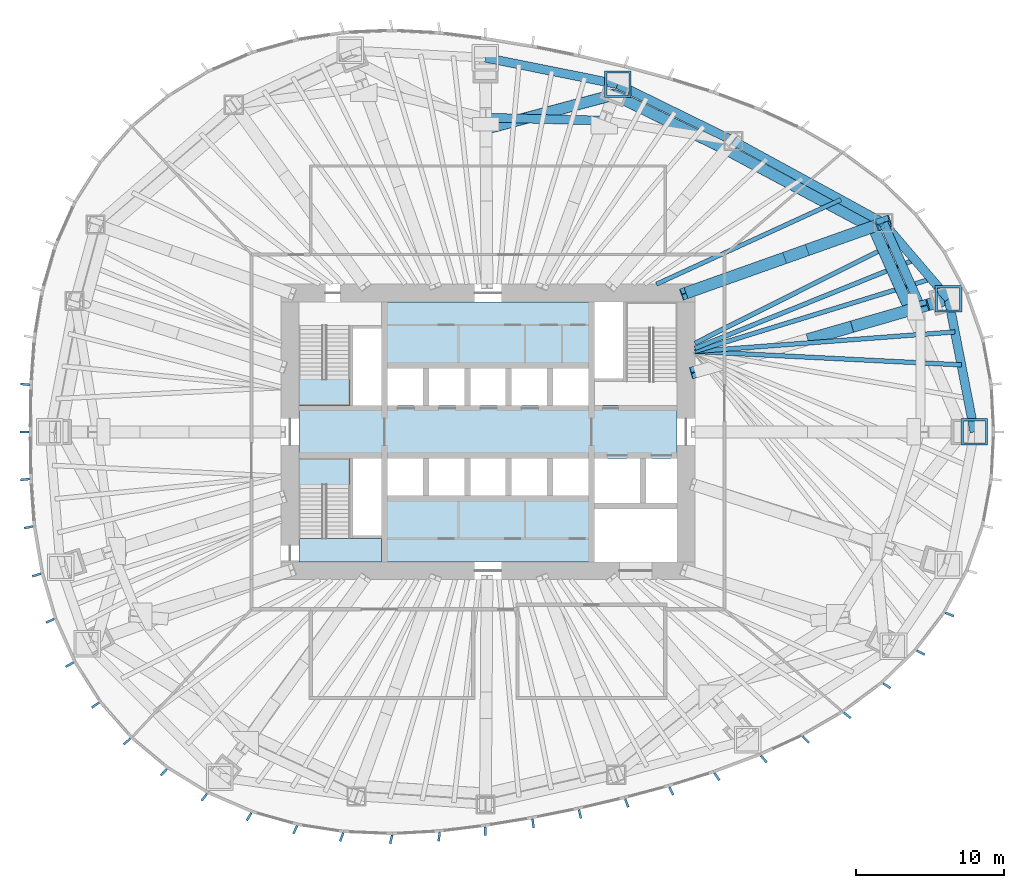
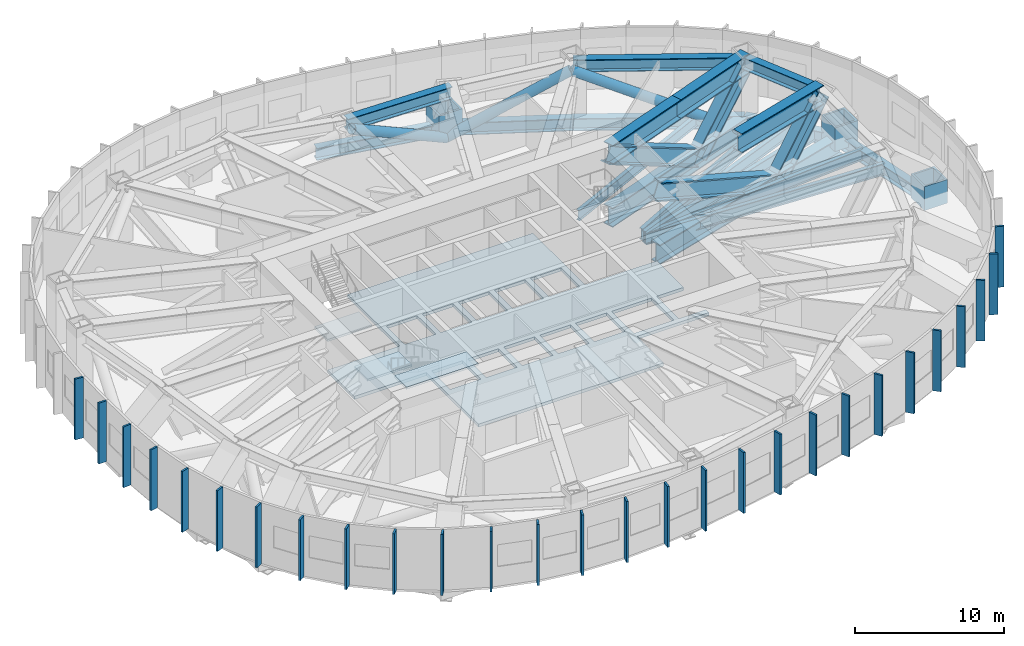
# One storey, part 5 of 12: 28 plates, 19 members, 11 beams, 4 slabs, 2 elements without a shape of their own.
"""IFC4 building model written with IfcOpenShell, lengths in metres."""

from ifc_helpers import new_model, si_unit, direction, frame, origin, origin_2d, place, context, subcontext, project, spatial, polyline, rectangle, hollow_rectangle, hollow_circle, i_section, outline, extrude, material, layer, layer_set, material_profile, profile_set, type_object, element, aggregate, save


model = new_model("IFC4")

# Units and contexts
model_context = context("Model", 3, precision=1e-05, world=origin(), true_north=direction((0.0, 1.0)))
body_context = subcontext(model_context, "Body", "Model", "MODEL_VIEW")
ifc_project = project(units=[si_unit("LENGTHUNIT", "METRE"), si_unit("AREAUNIT", "SQUARE_METRE"), si_unit("VOLUMEUNIT", "CUBIC_METRE"), si_unit("PLANEANGLEUNIT", "RADIAN"), si_unit("MASSUNIT", "GRAM", prefix="KILO")], contexts=[model_context])

# Site, building, storey
site_placement = place(None, origin())
site = spatial("IfcSite", under=ifc_project, at=site_placement, CompositionType="ELEMENT")
building_placement = place(site_placement, origin())
building = spatial("IfcBuilding", under=site, at=building_placement, Name="Ghaith Harvest Tower", CompositionType="ELEMENT")
storey_placement = place(building_placement, frame((0.0, 0.0, 100.0)))
storey = spatial("IfcBuildingStorey", under=building, at=storey_placement, Name="L20", CompositionType="ELEMENT", Elevation=100.0)

# Members
ifc_material_1 = material(Name="Steel S460", Category="steel")
ifc_material_profile_1 = material_profile(ifc_material_1, i_section(OverallWidth=0.60009765625, OverallDepth=1.0, WebThickness=0.02490234375, FlangeThickness=0.050048828125, at=origin_2d()), Name="PG1000X600X25X50")
ifc_profile_set_1 = profile_set([ifc_material_profile_1], Name="Steel S460")
member_type_1 = type_object("IfcMemberType", Name="BCPG1000-600-25-50 PG1000X600X25X50", PredefinedType="CHORD", material=ifc_profile_set_1)
member_1_placement = place(storey_placement, frame((29.285888671875, 8.464111328125, 4.030029296875), z_axis=(-0.405635615749, 0.914034872002, 0.0), x_axis=(-0.914034872002, -0.405635615749, 0.0)))
element("IfcMember", 1, at=member_1_placement, inside=storey, type_object=member_type_1, Name="Belt truss BT02 top chord", PredefinedType="CHORD", context=body_context, shape_type="SweptSolid", body=[
    extrude(i_section(OverallWidth=0.60009765625, OverallDepth=1.0, WebThickness=0.02490234375, FlangeThickness=0.050048828125, at=origin_2d()), origin(), (0.0, 0.0, 1.0), 6.21728515625),
])
member_2_placement = place(storey_placement, frame((26.763916015625, 14.14697265625, 4.030029296875), z_axis=(-0.877588218279, 0.479415184509, 0.0), x_axis=(-0.479415184509, -0.877588218279, 0.0)))
element("IfcMember", 2, at=member_2_placement, inside=storey, type_object=member_type_1, Name="Belt truss BT03 top chord", PredefinedType="CHORD", context=body_context, shape_type="SweptSolid", body=[
    extrude(i_section(OverallWidth=0.60009765625, OverallDepth=1.0, WebThickness=0.02490234375, FlangeThickness=0.050048828125, at=origin_2d()), origin(), (0.0, 0.0, 1.0), 11.57275390625),
])
member_3_placement = place(storey_placement, frame((7.8779296875, 21.072021484375, 4.030029296875), z_axis=(-0.999692679676, 0.024790042413, 0.0), x_axis=(-0.024790042413, -0.999692679676, 0.0)))
element("IfcMember", 3, at=member_3_placement, inside=storey, type_object=member_type_1, Name="Belt truss BT05 top chord", PredefinedType="CHORD", context=body_context, shape_type="SweptSolid", body=[
    extrude(i_section(OverallWidth=0.60009765625, OverallDepth=1.0, WebThickness=0.02490234375, FlangeThickness=0.050048828125, at=origin_2d()), origin(), (0.0, 0.0, 1.0), 8.0263671875),
])
ifc_material_2 = material(Name="Steel ASTM A992 Grade 50", Category="steel")
ifc_material_profile_2 = material_profile(ifc_material_2, hollow_circle(Radius=0.381103515625, WallThickness=0.01904296875, at=origin_2d()), Name="HSS762X19.1")
ifc_profile_set_2 = profile_set([ifc_material_profile_2], Name="Steel ASTM A992 Grade 50")
member_type_2 = type_object("IfcMemberType", Name="BD762 HSS762X19.1", PredefinedType="BRACE", material=ifc_profile_set_2)
member_4_placement = place(storey_placement, frame((28.5654296875, 8.255859375, 4.030029296875), z_axis=(-0.310289061612, 0.697543334742, -0.645874596498), x_axis=(-0.913680341823, -0.406433552953, 0.0)))
element("IfcMember", 4, at=member_4_placement, inside=storey, type_object=member_type_2, Name="Belt truss BT02 diagonal", PredefinedType="BRACE", context=body_context, shape_type="SweptSolid", body=[
    extrude(hollow_circle(Radius=0.381103515625, WallThickness=0.01904296875, at=origin_2d()), origin(), (0.0, 0.0, 1.0), 7.94287109375),
])
member_5_placement = place(storey_placement, frame((26.100830078125, 13.79638671875, -1.10009765625), z_axis=(-0.803385741515, 0.428834148103, 0.413125433435), x_axis=(-0.470897473237, -0.882187944658, 0.0)))
element("IfcMember", 5, at=member_5_placement, inside=storey, type_object=member_type_2, Name="Belt truss BT03 diagonal", PredefinedType="BRACE", context=body_context, shape_type="SweptSolid", body=[
    extrude(hollow_circle(Radius=0.381103515625, WallThickness=0.01904296875, at=origin_2d()), origin(), (0.0, 0.0, 1.0), 12.417724609375),
])
member_6_placement = place(storey_placement, frame((16.12451171875, 19.12158203125, 4.030029296875), z_axis=(-0.768211897407, 0.37468147564, -0.519099482272), x_axis=(-0.438370672656, -0.898794277549, 0.0)))
element("IfcMember", 6, at=member_6_placement, inside=storey, type_object=member_type_2, Name="Belt truss BT04 diagonal", PredefinedType="BRACE", context=body_context, shape_type="SweptSolid", body=[
    extrude(hollow_circle(Radius=0.381103515625, WallThickness=0.01904296875, at=origin_2d()), origin(), (0.0, 0.0, 1.0), 9.8828125),
])
member_7_placement = place(storey_placement, frame((8.532470703125, 22.824462890625, -1.10009765625), z_axis=(-0.839067880605, -0.222839763934, 0.496293795394), x_axis=(0.256682110754, -0.966495884119, 0.0)))
element("IfcMember", 7, at=member_7_placement, inside=storey, type_object=member_type_2, Name="Belt truss BT05 diagonal", PredefinedType="BRACE", context=body_context, shape_type="SweptSolid", body=[
    extrude(hollow_circle(Radius=0.381103515625, WallThickness=0.01904296875, at=origin_2d()), origin(), (0.0, 0.0, 1.0), 10.3369140625),
])

# Beams
ifc_material_3 = material(Name="Steel S460", Category="steel")
ifc_material_profile_3 = material_profile(ifc_material_3, i_section(OverallWidth=0.60009765625, OverallDepth=1.0, WebThickness=0.02490234375, FlangeThickness=0.050048828125, at=origin_2d()), Name="PG1000X600X25X50")
ifc_profile_set_3 = profile_set([ifc_material_profile_3], Name="Steel S460")
beam_type_1 = type_object("IfcBeamType", Name="EPG1000 PG1000X600X25X50", PredefinedType="SPANDREL", material=ifc_profile_set_3)
beam_1_placement = place(storey_placement, frame((32.925048828125, 0.0, -0.800048828125), z_axis=(-0.191653479461, 0.981462655332, 0.0), x_axis=(-0.981462655332, -0.191653479461, 0.0)))
element("IfcBeam", 8, at=beam_1_placement, inside=storey, type_object=beam_type_1, Name="Edge beam E01 L20", PredefinedType="SPANDREL", context=body_context, shape_type="SweptSolid", body=[
    extrude(i_section(OverallWidth=0.60009765625, OverallDepth=1.0, WebThickness=0.02490234375, FlangeThickness=0.050048828125, at=origin_2d()), origin(), (0.0, 0.0, 1.0), 9.17822265625),
])
beam_2_placement = place(storey_placement, frame((31.166015625, 9.008056640625, -0.800048828125), z_axis=(-0.65056255283, 0.759452674533, 0.0), x_axis=(-0.759452674533, -0.65056255283, 0.0)))
element("IfcBeam", 9, at=beam_2_placement, inside=storey, type_object=beam_type_1, Name="Edge beam E02 L20", PredefinedType="SPANDREL", context=body_context, shape_type="SweptSolid", body=[
    extrude(i_section(OverallWidth=0.60009765625, OverallDepth=1.0, WebThickness=0.02490234375, FlangeThickness=0.050048828125, at=origin_2d()), origin(), (0.0, 0.0, 1.0), 6.7666015625),
])
beam_3_placement = place(storey_placement, frame((26.763916015625, 14.14697265625, -0.800048828125), z_axis=(-0.877588218279, 0.479415184509, 0.0), x_axis=(-0.479415184509, -0.877588218279, 0.0)))
element("IfcBeam", 10, at=beam_3_placement, inside=storey, type_object=beam_type_1, Name="Edge beam E03 L20", PredefinedType="SPANDREL", context=body_context, shape_type="SweptSolid", body=[
    extrude(i_section(OverallWidth=0.60009765625, OverallDepth=1.0, WebThickness=0.02490234375, FlangeThickness=0.050048828125, at=origin_2d()), origin(), (0.0, 0.0, 1.0), 11.57275390625),
])
beam_4_placement = place(storey_placement, frame((16.60791015625, 19.695068359375, -0.800048828125), z_axis=(-0.897823733825, 0.440355019252, 0.0), x_axis=(-0.440355019252, -0.897823733825, 0.0)))
element("IfcBeam", 11, at=beam_4_placement, inside=storey, type_object=beam_type_1, Name="Edge beam E04 L20", PredefinedType="SPANDREL", context=body_context, shape_type="SweptSolid", body=[
    extrude(i_section(OverallWidth=0.60009765625, OverallDepth=1.0, WebThickness=0.02490234375, FlangeThickness=0.050048828125, at=origin_2d()), origin(), (0.0, 0.0, 1.0), 8.7021484375),
])
beam_5_placement = place(storey_placement, frame((8.794921875, 23.527099609375, -0.800048828125), z_axis=(-0.980450082464, 0.196767974517, 0.0), x_axis=(-0.196767974517, -0.980450082464, 0.0)))
element("IfcBeam", 12, at=beam_5_placement, inside=storey, type_object=beam_type_1, Name="Edge beam E05 L20", PredefinedType="SPANDREL", context=body_context, shape_type="SweptSolid", body=[
    extrude(i_section(OverallWidth=0.60009765625, OverallDepth=1.0, WebThickness=0.02490234375, FlangeThickness=0.050048828125, at=origin_2d()), origin(), (0.0, 0.0, 1.0), 9.146728515625),
])
ifc_material_4 = material(Name="Steel ASTM A992 Grade 50", Category="steel")
ifc_material_profile_4 = material_profile(ifc_material_4, i_section(OverallWidth=0.2939453125, OverallDepth=0.85107421875, WebThickness=0.01611328125, FlangeThickness=0.02685546875, at=origin_2d()), Name="W840X226")
ifc_profile_set_4 = profile_set([ifc_material_profile_4], Name="Steel ASTM A992 Grade 50")
beam_type_2 = type_object("IfcBeamType", Name="J840-226 W840X226", PredefinedType="JOIST", material=ifc_profile_set_4)
beam_6_placement = place(storey_placement, frame((11.39990234375, 10.0, -0.7255859375), z_axis=(0.909014022454, 0.416765529983, 0.0), x_axis=(-0.416765529983, 0.909014022454, 0.0)))
element("IfcBeam", 13, at=beam_6_placement, inside=storey, type_object=beam_type_2, Name="Joist J03.1 L20", PredefinedType="JOIST", context=body_context, shape_type="SweptSolid", body=[
    extrude(i_section(OverallWidth=0.2939453125, OverallDepth=0.85107421875, WebThickness=0.01611328125, FlangeThickness=0.02685546875, at=origin_2d()), origin(), (0.0, 0.0, 1.0), 13.72998046875),
])
ifc_material_5 = material(Name="Steel ASTM A992 Grade 50", Category="steel")
ifc_material_profile_5 = material_profile(ifc_material_5, i_section(OverallWidth=0.31005859375, OverallDepth=0.927001953125, WebThickness=0.019287109375, FlangeThickness=0.031982421875, at=origin_2d()), Name="W920X289")
ifc_profile_set_5 = profile_set([ifc_material_profile_5], Name="Steel ASTM A992 Grade 50")
beam_type_3 = type_object("IfcBeamType", Name="J920-289 W920X289", PredefinedType="JOIST", material=ifc_profile_set_5)
beam_7_placement = place(storey_placement, frame((14.0, 6.0, -0.763427734375), z_axis=(0.893943122545, 0.448180425335, 0.0), x_axis=(-0.448180425335, 0.893943122545, 0.0)))
element("IfcBeam", 14, at=beam_7_placement, inside=storey, type_object=beam_type_3, Name="Joist J02.3 L20", PredefinedType="JOIST", context=body_context, shape_type="SweptSolid", body=[
    extrude(i_section(OverallWidth=0.31005859375, OverallDepth=0.927001953125, WebThickness=0.019287109375, FlangeThickness=0.031982421875, at=origin_2d()), origin(), (0.0, 0.0, 1.0), 15.449951171875),
])
ifc_material_6 = material(Name="Steel ASTM A992 Grade 50", Category="steel")
ifc_material_profile_6 = material_profile(ifc_material_6, i_section(OverallWidth=0.306884765625, OverallDepth=0.94189453125, WebThickness=0.022216796875, FlangeThickness=0.039794921875, at=origin_2d()), Name="W920X345")
ifc_profile_set_6 = profile_set([ifc_material_profile_6], Name="Steel ASTM A992 Grade 50")
beam_type_4 = type_object("IfcBeamType", Name="J920-345 W920X345", PredefinedType="JOIST", material=ifc_profile_set_6)
beam_8_placement = place(storey_placement, frame((14.0, 5.4462890625, -0.77099609375), z_axis=(0.998732304101, -0.050336713681, 0.0), x_axis=(0.050336713681, 0.998732304101, 0.0)))
element("IfcBeam", 15, at=beam_8_placement, inside=storey, type_object=beam_type_4, Name="Joist J01.2 L20", PredefinedType="JOIST", context=body_context, shape_type="SweptSolid", body=[
    extrude(i_section(OverallWidth=0.306884765625, OverallDepth=0.94189453125, WebThickness=0.022216796875, FlangeThickness=0.039794921875, at=origin_2d()), origin(), (0.0, 0.0, 1.0), 18.06201171875),
])
beam_9_placement = place(storey_placement, frame((14.0, 5.4462890625, -0.77099609375), z_axis=(0.997186556837, 0.074959794986, 0.0), x_axis=(-0.074959794986, 0.997186556837, 0.0)))
element("IfcBeam", 16, at=beam_9_placement, inside=storey, type_object=beam_type_4, Name="Joist J01.3 L20", PredefinedType="JOIST", context=body_context, shape_type="SweptSolid", body=[
    extrude(i_section(OverallWidth=0.306884765625, OverallDepth=0.94189453125, WebThickness=0.022216796875, FlangeThickness=0.039794921875, at=origin_2d()), origin(), (0.0, 0.0, 1.0), 17.652587890625),
])
beam_10_placement = place(storey_placement, frame((14.0, 5.4462890625, -0.77099609375), z_axis=(0.955896845814, 0.293702604964, 0.0), x_axis=(-0.293702604964, 0.955896845814, 0.0)))
element("IfcBeam", 17, at=beam_10_placement, inside=storey, type_object=beam_type_4, Name="Joist J02.1 L20", PredefinedType="JOIST", context=body_context, shape_type="SweptSolid", body=[
    extrude(i_section(OverallWidth=0.306884765625, OverallDepth=0.94189453125, WebThickness=0.022216796875, FlangeThickness=0.039794921875, at=origin_2d()), origin(), (0.0, 0.0, 1.0), 16.7431640625),
])
beam_11_placement = place(storey_placement, frame((14.0, 5.653564453125, -0.77099609375), z_axis=(0.927252192145, 0.374437407536, 0.0), x_axis=(-0.374437407536, 0.927252192145, 0.0)))
element("IfcBeam", 18, at=beam_11_placement, inside=storey, type_object=beam_type_4, Name="Joist J02.2 L20", PredefinedType="JOIST", context=body_context, shape_type="SweptSolid", body=[
    extrude(i_section(OverallWidth=0.306884765625, OverallDepth=0.94189453125, WebThickness=0.022216796875, FlangeThickness=0.039794921875, at=origin_2d()), origin(), (0.0, 0.0, 1.0), 16.057373046875),
])

# Members
ifc_material_7 = material(Name="Steel S690QL", Category="steel")
ifc_material_profile_7 = material_profile(ifc_material_7, hollow_rectangle(XDim=1.800048828125, YDim=1.800048828125, WallThickness=0.14990234375, at=origin_2d()), Name="BOX1800X1800X150")
ifc_profile_set_7 = profile_set([ifc_material_profile_7], Name="Steel S690QL")
member_type_3 = type_object("IfcMemberType", Name="KN3 BOX1800X1800X150", PredefinedType="USERDEFINED", material=ifc_profile_set_7)
for number, where, z_axis, x_axis, name in (
    (19, (32.925048828125, 0.0, -0.97509765625), (0.0, 0.0, 1.0), (1.0, 0.0, 0.0), "Raked column kink node C01 base L20"),
    (20, (31.166015625, 9.008056640625, -0.97509765625), (0.0, 0.0, 1.0), (1.0, 0.0, 0.0), "Raked column kink node C02 base L20"),
    (21, (8.794921875, 23.527099609375, -0.97509765625), (0.0, 0.0, 1.0), (1.0, 0.0, 0.0), "Raked column kink node C05 base L20"),
):
    element("IfcMember", number, at=place(storey_placement, frame(where, z_axis=z_axis, x_axis=x_axis)), inside=storey, type_object=member_type_3, Name=name, ObjectType="KINK NODE", PredefinedType="USERDEFINED", context=body_context, shape_type="SweptSolid", body=[
        extrude(hollow_rectangle(XDim=1.800048828125, YDim=1.800048828125, WallThickness=0.14990234375, at=origin_2d()), origin(), (0.0, 0.0, 1.0), 1.9501953125),
    ])
ifc_material_8 = material(Name="Steel S460", Category="steel")
ifc_material_profile_8 = material_profile(ifc_material_8, i_section(OverallWidth=0.800048828125, OverallDepth=1.60009765625, WebThickness=0.0400390625, FlangeThickness=0.080078125, at=origin_2d()), Name="PG1600X800X40X80")
ifc_profile_set_8 = profile_set([ifc_material_profile_8], Name="Steel S460")
member_type_4 = type_object("IfcMemberType", Name="OC1600 PG1600X800X40X80", PredefinedType="CHORD", material=ifc_profile_set_8)
member_8_placement = place(storey_placement, frame((14.0, 4.04638671875, -1.10009765625), z_axis=(0.960675395102, 0.277673882903, 0.0), x_axis=(-0.277673882903, 0.960675395102, 0.0)))
element("IfcMember", 22, at=member_8_placement, inside=storey, type_object=member_type_4, Name="Outrigger truss OT02 bottom chord", PredefinedType="CHORD", context=body_context, shape_type="SweptSolid", body=[
    extrude(i_section(OverallWidth=0.800048828125, OverallDepth=1.60009765625, WebThickness=0.0400390625, FlangeThickness=0.080078125, at=origin_2d()), origin(), (0.0, 0.0, 1.0), 17.86865234375),
])
member_9_placement = place(storey_placement, frame((21.64306640625, 6.255126953125, 4.030029296875), z_axis=(0.96067871769, 0.277662387403, 0.0), x_axis=(-0.277662387403, 0.96067871769, 0.0)))
element("IfcMember", 23, at=member_9_placement, inside=storey, type_object=member_type_4, Name="Outrigger truss OT02 top chord 2", PredefinedType="CHORD", context=body_context, shape_type="SweptSolid", body=[
    extrude(i_section(OverallWidth=0.800048828125, OverallDepth=1.60009765625, WebThickness=0.0400390625, FlangeThickness=0.080078125, at=origin_2d()), origin(), (0.0, 0.0, 1.0), 7.95556640625),
])
member_10_placement = place(storey_placement, frame((13.39990234375, 9.39990234375, -1.10009765625), z_axis=(0.942316561445, 0.334723016875, 0.0), x_axis=(-0.334723016875, 0.942316561445, 0.0)))
element("IfcMember", 24, at=member_10_placement, inside=storey, type_object=member_type_4, Name="Outrigger truss OT03 bottom chord", PredefinedType="CHORD", context=body_context, shape_type="SweptSolid", body=[
    extrude(i_section(OverallWidth=0.800048828125, OverallDepth=1.60009765625, WebThickness=0.0400390625, FlangeThickness=0.080078125, at=origin_2d()), origin(), (0.0, 0.0, 1.0), 14.18212890625),
])
member_11_placement = place(storey_placement, frame((13.39990234375, 9.39990234375, 4.030029296875), z_axis=(0.942318490127, 0.334717587176, 0.0), x_axis=(-0.334717587176, 0.942318490127, 0.0)))
element("IfcMember", 25, at=member_11_placement, inside=storey, type_object=member_type_4, Name="Outrigger truss OT03 top chord 1", PredefinedType="CHORD", context=body_context, shape_type="SweptSolid", body=[
    extrude(i_section(OverallWidth=0.800048828125, OverallDepth=1.60009765625, WebThickness=0.0400390625, FlangeThickness=0.080078125, at=origin_2d()), origin(), (0.0, 0.0, 1.0), 7.091064453125),
])
member_12_placement = place(storey_placement, frame((20.08203125, 11.7734375, 4.030029296875), z_axis=(0.94231463267, 0.33472844674, 0.0), x_axis=(-0.33472844674, 0.94231463267, 0.0)))
element("IfcMember", 26, at=member_12_placement, inside=storey, type_object=member_type_4, Name="Outrigger truss OT03 top chord 2", PredefinedType="CHORD", context=body_context, shape_type="SweptSolid", body=[
    extrude(i_section(OverallWidth=0.800048828125, OverallDepth=1.60009765625, WebThickness=0.0400390625, FlangeThickness=0.080078125, at=origin_2d()), origin(), (0.0, 0.0, 1.0), 7.0908203125),
])
ifc_material_9 = material(Name="Steel S460", Category="steel")
ifc_material_profile_9 = material_profile(ifc_material_9, i_section(OverallWidth=0.800048828125, OverallDepth=1.39990234375, WebThickness=0.050048828125, FlangeThickness=0.10009765625, at=origin_2d()), Name="PG1400X800X50X100")
ifc_profile_set_9 = profile_set([ifc_material_profile_9], Name="Steel S460")
member_type_5 = type_object("IfcMemberType", Name="OD1400 PG1400X800X50X100", PredefinedType="BRACE", material=ifc_profile_set_9)
member_13_placement = place(storey_placement, frame((14.0, 4.04638671875, 4.030029296875), z_axis=(0.878771507735, 0.254000210428, -0.40403530823), x_axis=(-0.277673731432, 0.960675438883, 0.0)))
element("IfcMember", 27, at=member_13_placement, inside=storey, type_object=member_type_5, Name="Outrigger truss OT02 diagonal 1", PredefinedType="BRACE", context=body_context, shape_type="SweptSolid", body=[
    extrude(i_section(OverallWidth=0.800048828125, OverallDepth=1.39990234375, WebThickness=0.050048828125, FlangeThickness=0.10009765625, at=origin_2d()), origin(), (0.0, 0.0, 1.0), 12.697265625),
])
member_14_placement = place(storey_placement, frame((25.157958984375, 7.271484375, -1.10009765625), z_axis=(0.616862651206, 0.178221791527, 0.766627329654), x_axis=(-0.277564126111, 0.960707112442, 0.0)))
element("IfcMember", 28, at=member_14_placement, inside=storey, type_object=member_type_5, Name="Outrigger truss OT02 diagonal 2", PredefinedType="BRACE", context=body_context, shape_type="SweptSolid", body=[
    extrude(i_section(OverallWidth=0.800048828125, OverallDepth=1.39990234375, WebThickness=0.050048828125, FlangeThickness=0.10009765625, at=origin_2d()), origin(), (0.0, 0.0, 1.0), 6.69189453125),
])
member_15_placement = place(storey_placement, frame((13.39990234375, 9.39990234375, 4.030029296875), z_axis=(0.823400881805, 0.292486544648, -0.486274211781), x_axis=(-0.334726993776, 0.942315148789, 0.0)))
element("IfcMember", 29, at=member_15_placement, inside=storey, type_object=member_type_5, Name="Outrigger truss OT03 diagonal 1", PredefinedType="BRACE", context=body_context, shape_type="SweptSolid", body=[
    extrude(i_section(OverallWidth=0.800048828125, OverallDepth=1.39990234375, WebThickness=0.050048828125, FlangeThickness=0.10009765625, at=origin_2d()), origin(), (0.0, 0.0, 1.0), 10.5498046875),
])
member_16_placement = place(storey_placement, frame((22.086669921875, 12.485595703125, -1.10009765625), z_axis=(0.655234548467, 0.232741993022, 0.718678545095), x_axis=(-0.33471563077, 0.942319185053, 0.0)))
element("IfcMember", 30, at=member_16_placement, inside=storey, type_object=member_type_5, Name="Outrigger truss OT03 diagonal 2", PredefinedType="BRACE", context=body_context, shape_type="SweptSolid", body=[
    extrude(i_section(OverallWidth=0.800048828125, OverallDepth=1.39990234375, WebThickness=0.050048828125, FlangeThickness=0.10009765625, at=origin_2d()), origin(), (0.0, 0.0, 1.0), 7.13818359375),
])

# Slab
ifc_material_10 = material(Name="Concrete C40/50", Category="concrete")
ifc_layer_1 = layer(ifc_material_10, 0.25)
ifc_layer_set_1 = layer_set([ifc_layer_1], Name="FLOOR SLAB 250")
slab_type_1 = type_object("IfcSlabType", Name="FLOOR SLAB 250", PredefinedType="FLOOR", material=ifc_layer_set_1)
slab_1_placement = place(storey_placement, frame((0.0, 0.0, -0.25)))
element("IfcSlab", 31, at=slab_1_placement, inside=storey, type_object=slab_type_1, Name="Core slab L20", PredefinedType="FLOOR", context=body_context, shape_type="SweptSolid", body=[
    extrude(outline(polyline([(-12.800048828125, 1.800048828125), (-7.199951171875, 1.800048828125), (-7.199951171875, 8.800048828125), (7.199951171875, 8.800048828125), (7.199951171875, 1.800048828125), (12.800048828125, 1.800048828125), (12.800048828125, -1.800048828125), (10.699951171875, -1.800048828125), (10.699951171875, -4.800048828125), (12.800048828125, -4.800048828125), (12.800048828125, -5.199951171875), (7.199951171875, -5.199951171875), (7.199951171875, -8.800048828125), (-7.199951171875, -8.800048828125), (-7.199951171875, -1.800048828125), (-12.800048828125, -1.800048828125), (-12.800048828125, 1.800048828125)]), holes=[polyline([(-4.39990234375, -4.300048828125), (-4.39990234375, -1.800048828125), (-6.800048828125, -1.800048828125), (-6.800048828125, -4.300048828125), (-4.39990234375, -4.300048828125)]), polyline([(-1.60009765625, -4.300048828125), (-1.60009765625, -1.800048828125), (-4.0, -1.800048828125), (-4.0, -4.300048828125), (-1.60009765625, -4.300048828125)]), polyline([(1.199951171875, -4.300048828125), (1.199951171875, -1.800048828125), (-1.199951171875, -1.800048828125), (-1.199951171875, -4.300048828125), (1.199951171875, -4.300048828125)]), polyline([(-4.39990234375, 1.800048828125), (-4.39990234375, 4.300048828125), (-6.800048828125, 4.300048828125), (-6.800048828125, 1.800048828125), (-4.39990234375, 1.800048828125)]), polyline([(-1.60009765625, 1.800048828125), (-1.60009765625, 4.300048828125), (-4.0, 4.300048828125), (-4.0, 1.800048828125), (-1.60009765625, 1.800048828125)]), polyline([(1.199951171875, 1.800048828125), (1.199951171875, 4.300048828125), (-1.199951171875, 4.300048828125), (-1.199951171875, 1.800048828125), (1.199951171875, 1.800048828125)]), polyline([(10.300048828125, -4.800048828125), (10.300048828125, -1.800048828125), (7.199951171875, -1.800048828125), (7.199951171875, -4.800048828125), (10.300048828125, -4.800048828125)]), polyline([(4.0, -4.300048828125), (4.0, -1.800048828125), (1.60009765625, -1.800048828125), (1.60009765625, -4.300048828125), (4.0, -4.300048828125)]), polyline([(6.800048828125, -4.300048828125), (6.800048828125, -1.800048828125), (4.39990234375, -1.800048828125), (4.39990234375, -4.300048828125), (6.800048828125, -4.300048828125)]), polyline([(4.0, 1.800048828125), (4.0, 4.300048828125), (1.60009765625, 4.300048828125), (1.60009765625, 1.800048828125), (4.0, 1.800048828125)]), polyline([(6.800048828125, 1.800048828125), (6.800048828125, 4.300048828125), (4.39990234375, 4.300048828125), (4.39990234375, 1.800048828125), (6.800048828125, 1.800048828125)])]), origin(), (0.0, 0.0, 1.0), 0.25),
])

# Stair, slab
ifc_material_11 = material(Name="Concrete C40/50, precast", Category="concrete")
stair_type = type_object("IfcStairType", Name="CORE STAIR 28R", PredefinedType="HALF_TURN_STAIR", material=ifc_material_11)
stair_1_placement = place(storey_placement, origin())
stair_1 = element("IfcStair", 32, at=stair_1_placement, inside=storey, type_object=stair_type, Name="Stair ST1 L20", PredefinedType="HALF_TURN_STAIR")
ifc_material_12 = material(Name="Concrete C40/50, precast", Category="concrete")
ifc_layer_2 = layer(ifc_material_12, 0.179931640625)
ifc_layer_set_2 = layer_set([ifc_layer_2], Name="STAIR LANDING 180")
slab_type_2 = type_object("IfcSlabType", Name="STAIR LANDING 180", PredefinedType="LANDING", material=ifc_layer_set_2)
slab_2_placement = place(storey_placement, frame((0.0, 0.0, 2.320068359375)))
slab_2 = element("IfcSlab", 33, at=slab_2_placement, type_object=slab_type_2, Name="ST1 landing 1", PredefinedType="LANDING", context=body_context, shape_type="SweptSolid", body=[
    extrude(outline(polyline([(-12.800048828125, 3.580078125), (-12.800048828125, 1.800048828125), (-9.35009765625, 1.800048828125), (-9.35009765625, 3.580078125), (-12.800048828125, 3.580078125)])), origin(), (0.0, 0.0, 1.0), 0.179931640625),
])
aggregate(stair_1, [slab_2])

# Stair, slabs
stair_2_placement = place(storey_placement, origin())
stair_2 = element("IfcStair", 34, at=stair_2_placement, inside=storey, type_object=stair_type, Name="Stair ST3 L20", PredefinedType="HALF_TURN_STAIR")
slab_3_placement = place(storey_placement, frame((0.0, 0.0, 2.320068359375)))
slab_3 = element("IfcSlab", 35, at=slab_3_placement, type_object=slab_type_2, Name="ST3 landing 1", PredefinedType="LANDING", context=body_context, shape_type="SweptSolid", body=[
    extrude(outline(polyline([(-12.800048828125, -3.580078125), (-12.800048828125, -1.800048828125), (-9.35009765625, -1.800048828125), (-9.35009765625, -3.580078125), (-12.800048828125, -3.580078125)])), origin(), (0.0, 0.0, 1.0), 0.179931640625),
])
slab_4_placement = place(storey_placement, frame((0.0, 0.0, 4.820068359375)))
slab_4 = element("IfcSlab", 36, at=slab_4_placement, type_object=slab_type_2, Name="ST3 landing 2", PredefinedType="LANDING", context=body_context, shape_type="SweptSolid", body=[
    extrude(outline(polyline([(-12.800048828125, -8.800048828125), (-12.800048828125, -7.199951171875), (-7.199951171875, -7.199951171875), (-7.199951171875, -8.800048828125), (-12.800048828125, -8.800048828125)])), origin(), (0.0, 0.0, 1.0), 0.179931640625),
])
aggregate(stair_2, [slab_3, slab_4])

# Plates
ifc_material_13 = material(Name="Glassfibre-reinforced concrete", Category="concrete")
ifc_layer_3 = layer(ifc_material_13, 0.14990234375)
ifc_layer_set_3 = layer_set([ifc_layer_3], Name="SUN-BREAKER FIN 600x150")
plate_type = type_object("IfcPlateType", Name="SUN-BREAKER FIN 600x150", PredefinedType="USERDEFINED", material=ifc_layer_set_3)
for number, where, z_axis, x_axis, name in (
    (37, (-31.33447265625, 3.216796875, 0.0), (0.0, 0.0, 1.0), (-0.994771752973, 0.102123256344, 0.0), "Sun-breaker fin 10.3 L20"),
    (38, (-31.375, 0.0, 0.0), (0.0, 0.0, 1.0), (-1.0, -4.19e-10, 0.0), "Sun-breaker fin 11.1 L20"),
    (39, (-31.33447265625, -3.216796875, 0.0), (0.0, 0.0, 1.0), (-0.99477175289, -0.10212325716, 0.0), "Sun-breaker fin 11.2 L20"),
    (40, (-31.096435546875, -6.45263671875, 0.0), (0.0, 0.0, 1.0), (-0.979141680776, -0.203178662678, 0.0), "Sun-breaker fin 11.3 L20"),
    (41, (-30.550537109375, -9.68212890625, 0.0), (0.0, 0.0, 1.0), (-0.953273219416, -0.302109531701, 0.0), "Sun-breaker fin 12.1 L20"),
    (42, (-29.641357421875, -12.785888671875, 0.0), (0.0, 0.0, 1.0), (-0.918217993291, -0.396075392819, 0.0), "Sun-breaker fin 12.2 L20"),
    (43, (-28.318603515625, -15.75, 0.0), (0.0, 0.0, 1.0), (-0.873926916099, -0.486057347767, 0.0), "Sun-breaker fin 12.3 L20"),
    (44, (-26.574951171875, -18.4912109375, 0.0), (0.0, 0.0, 1.0), (-0.820845486622, -0.571150319173, 0.0), "Sun-breaker fin 13.1 L20"),
    (45, (-24.427978515625, -20.94384765625, 0.0), (0.0, 0.0, 1.0), (-0.759169742756, -0.650892695982, 0.0), "Sun-breaker fin 13.2 L20"),
    (46, (-21.94384765625, -23.033203125, 0.0), (0.0, 0.0, 1.0), (-0.689778750378, -0.724020217623, 0.0), "Sun-breaker fin 13.3 L20"),
    (47, (-19.2001953125, -24.722412109375, 0.0), (0.0, 0.0, 1.0), (-0.613377713774, -0.789789706343, 0.0), "Sun-breaker fin 14.1 L20"),
    (48, (-16.171630859375, -26.039306640625, 0.0), (0.0, 0.0, 1.0), (-0.527582794798, -0.84950361661, 0.0), "Sun-breaker fin 14.2 L20"),
    (49, (-13.046142578125, -26.9267578125, 0.0), (0.0, 0.0, 1.0), (-0.436023231404, -0.899935409724, 0.0), "Sun-breaker fin 14.3 L20"),
    (50, (-9.903564453125, -27.420166015625, 0.0), (0.0, 0.0, 1.0), (-0.33969945263, -0.940534040789, 0.0), "Sun-breaker fin 15.1 L20"),
    (51, (-6.552978515625, -27.571533203125, 0.0), (0.0, 0.0, 1.0), (-0.231234278264, -0.972898097724, 0.0), "Sun-breaker fin 15.2 L20"),
    (52, (-3.307373046875, -27.406982421875, 0.0), (0.0, 0.0, 1.0), (-0.119806501119, -0.992797261423, 0.0), "Sun-breaker fin 15.3 L20"),
    (53, (-0.18505859375, -27.027099609375, 0.0), (0.0, 0.0, 1.0), (-0.006843747957, -0.999976581283, 0.0), "Sun-breaker fin 16.1 L20"),
    (54, (3.052734375, -26.500732421875, 0.0), (0.0, 0.0, 1.0), (0.114436255493, -0.993430593161, 0.0), "Sun-breaker fin 16.2 L20"),
    (55, (6.22607421875, -25.86474609375, 0.0), (0.0, 0.0, 1.0), (0.234028131836, -0.972229825458, 0.0), "Sun-breaker fin 16.3 L20"),
    (56, (9.390380859375, -25.119140625, 0.0), (0.0, 0.0, 1.0), (0.35016769691, -0.93668702566, 0.0), "Sun-breaker fin 17.1 L20"),
    (57, (12.406982421875, -24.302978515625, 0.0), (0.0, 0.0, 1.0), (0.454690809527, -0.890649351727, 0.0), "Sun-breaker fin 17.2 L20"),
    (58, (15.497802734375, -23.332763671875, 0.0), (0.0, 0.0, 1.0), (0.553282686659, -0.832993558584, 0.0), "Sun-breaker fin 17.3 L20"),
    (59, (18.66748046875, -22.13720703125, 0.0), (0.0, 0.0, 1.0), (0.644657240069, -0.764471741025, 0.0), "Sun-breaker fin 18.1 L20"),
    (60, (21.508544921875, -20.8173828125, 0.0), (0.0, 0.0, 1.0), (0.718558965078, -0.695466040656, 0.0), "Sun-breaker fin 18.2 L20"),
    (61, (24.316650390625, -19.1826171875, 0.0), (0.0, 0.0, 1.0), (0.785114680351, -0.619350416725, 0.0), "Sun-breaker fin 18.3 L20"),
    (62, (26.994384765625, -17.179443359375, 0.0), (0.0, 0.0, 1.0), (0.84364397137, -0.536903016913, 0.0), "Sun-breaker fin 19.1 L20"),
    (63, (29.28564453125, -14.93603515625, 0.0), (0.0, 0.0, 1.0), (0.890830752177, -0.454335306767, 0.0), "Sun-breaker fin 19.2 L20"),
    (64, (31.250244140625, -12.354736328125, 0.0), (0.0, 0.0, 1.0), (0.929960843071, -0.367658578513, 0.0), "Sun-breaker fin 19.3 L20"),
):
    element("IfcPlate", number, at=place(storey_placement, frame(where, z_axis=z_axis, x_axis=x_axis)), inside=storey, type_object=plate_type, Name=name, ObjectType="SUN-BREAKER FIN", PredefinedType="USERDEFINED", context=body_context, shape_type="SweptSolid", body=[
        extrude(rectangle(XDim=0.60009765625, YDim=0.14990234375, at=origin_2d()), origin(), (0.0, 0.0, 1.0), 5.0),
    ])

save(model, "model.ifc")
